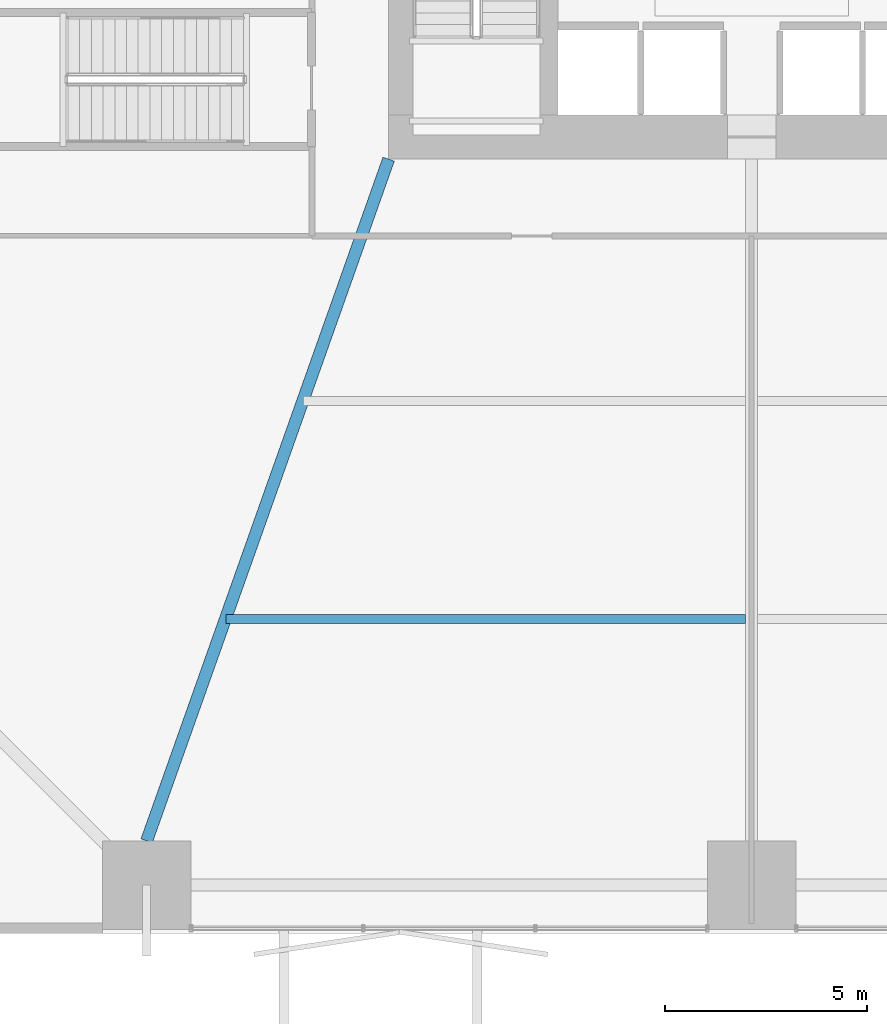
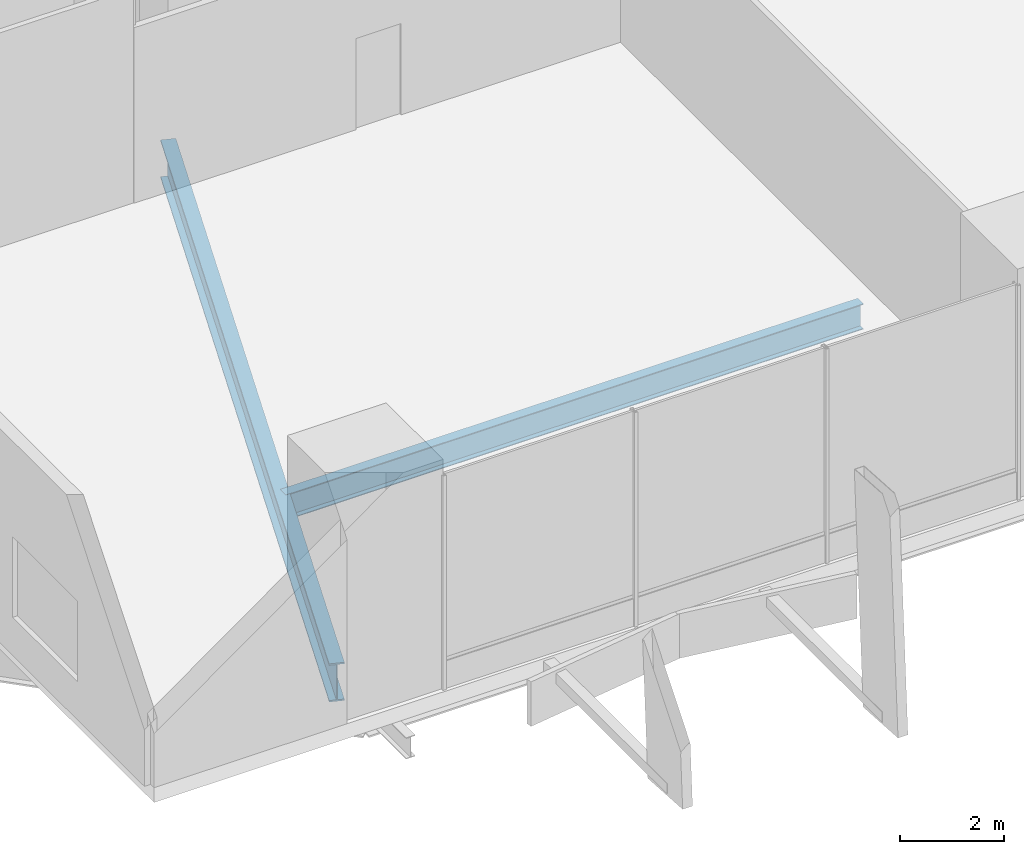
# One storey, part 3 of 24: 2 beams.
"""IFC4 building model written with IfcOpenShell, lengths in metres."""

from ifc_helpers import new_model, si_unit, direction, frame, origin, origin_2d, place, context, subcontext, project, spatial, i_section, extrude, material, material_profile, profile_set, type_object, element, save


model = new_model("IFC4")

# Units and contexts
model_context = context("Model", 3, precision=1e-05, world=origin(), true_north=direction((0.0, 1.0)))
body_context = subcontext(model_context, "Body", "Model", "MODEL_VIEW")
ifc_project = project(units=[si_unit("LENGTHUNIT", "METRE"), si_unit("AREAUNIT", "SQUARE_METRE"), si_unit("VOLUMEUNIT", "CUBIC_METRE"), si_unit("PLANEANGLEUNIT", "RADIAN"), si_unit("MASSUNIT", "GRAM", prefix="KILO")], contexts=[model_context])

# Site, building, storey
site_placement = place(None, origin())
site = spatial("IfcSite", under=ifc_project, at=site_placement, CompositionType="ELEMENT")
building_placement = place(site_placement, origin())
building = spatial("IfcBuilding", under=site, at=building_placement, Name="Belovzor Exchange Tower", CompositionType="ELEMENT")
storey_placement = place(building_placement, frame((0.0, 0.0, 8.39990234375)))
storey = spatial("IfcBuildingStorey", under=building, at=storey_placement, Name="L02", CompositionType="ELEMENT", Elevation=8.39990234375)

# Beams
ifc_material_1 = material(Name="Steel S460", Category="steel")
ifc_material_profile_1 = material_profile(ifc_material_1, i_section(OverallWidth=0.300048828125, OverallDepth=0.89990234375, WebThickness=0.0185546875, FlangeThickness=0.034912109375, at=origin_2d()))
ifc_profile_set_1 = profile_set([ifc_material_profile_1], Name="Steel S460")
beam_type_1 = type_object("IfcBeamType", Name="Podium Radial Clear-Span Girder HEB 900", PredefinedType="BEAM", material=ifc_profile_set_1)
beam_1_placement = place(storey_placement, frame((19.800048828125, 19.800048828125, -0.7998046875), z_axis=(-0.334567025634, -0.94237195701, 0.0), x_axis=(0.94237195701, -0.334567025634, 0.0)))
element("IfcBeam", 1, at=beam_1_placement, inside=storey, type_object=beam_type_1, Name="PG-2 Podium Radial Clear-Span Girder HEB 900", PredefinedType="BEAM", context=body_context, shape_type="SweptSolid", body=[
    extrude(i_section(OverallWidth=0.300048828125, OverallDepth=0.89990234375, WebThickness=0.0185546875, FlangeThickness=0.034912109375, at=origin_2d()), origin(), (0.0, 0.0, 1.0), 17.93359375),
])
ifc_material_2 = material(Name="Steel S355", Category="steel")
ifc_material_profile_2 = material_profile(ifc_material_2, i_section(OverallWidth=0.219970703125, OverallDepth=0.60009765625, WebThickness=0.011962890625, FlangeThickness=0.01904296875, at=origin_2d()))
ifc_profile_set_2 = profile_set([ifc_material_profile_2], Name="Steel S355")
beam_type_2 = type_object("IfcBeamType", Name="Podium Secondary Composite Floor Beam IPE 600", PredefinedType="BEAM", material=ifc_profile_set_2)
beam_2_placement = place(storey_placement, frame((15.77294921875, 8.39990234375, -0.64990234375), z_axis=(1.0, 0.0, 0.0), x_axis=(0.0, 1.0, 0.0)))
element("IfcBeam", 2, at=beam_2_placement, inside=storey, type_object=beam_type_2, Name="FB-600 Podium Secondary Composite Floor Beam IPE 600", PredefinedType="BEAM", context=body_context, shape_type="SweptSolid", body=[
    extrude(i_section(OverallWidth=0.219970703125, OverallDepth=0.60009765625, WebThickness=0.011962890625, FlangeThickness=0.01904296875, at=origin_2d()), origin(), (0.0, 0.0, 1.0), 12.876953125),
])

save(model, "model.ifc")
